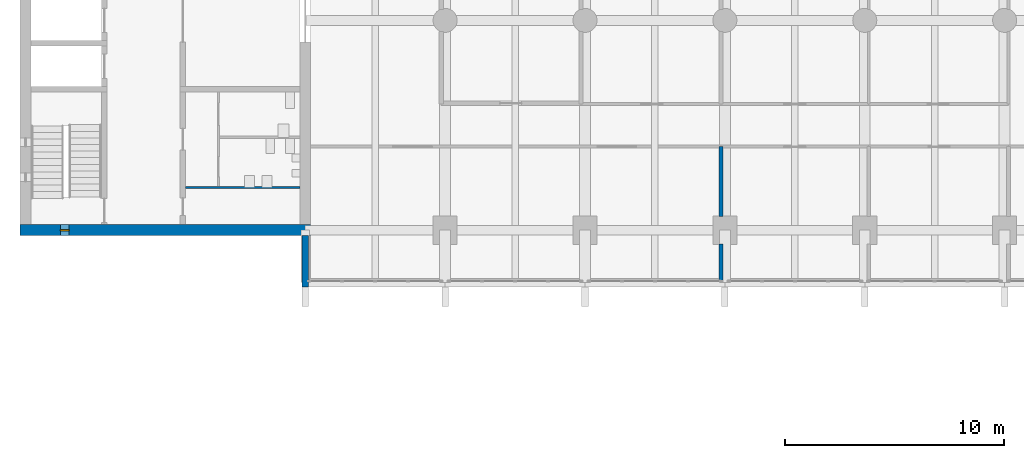
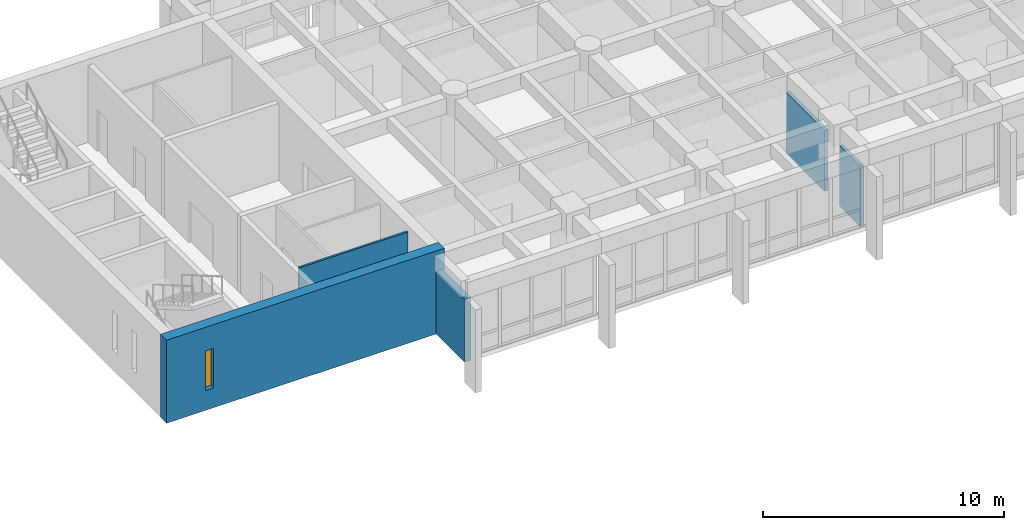
# One storey, part 9 of 18: 5 walls, 1 window, 1 opening.
"""IFC4 building model written with IfcOpenShell, lengths in metres."""

from ifc_helpers import new_model, si_unit, direction, frame, frame_2d, origin, place, context, subcontext, project, spatial, rectangle, extrude, material, layer, layer_set, type_object, element, fill, save


model = new_model("IFC4")

# Units and contexts
model_context = context("Model", 3, precision=1e-05, world=origin(), true_north=direction((0.0, 1.0)))
body_context = subcontext(model_context, "Body", "Model", "MODEL_VIEW")
ifc_project = project(units=[si_unit("LENGTHUNIT", "METRE"), si_unit("AREAUNIT", "SQUARE_METRE"), si_unit("VOLUMEUNIT", "CUBIC_METRE"), si_unit("PLANEANGLEUNIT", "RADIAN"), si_unit("MASSUNIT", "GRAM", prefix="KILO")], contexts=[model_context])

# Site, building, storey
site_placement = place(None, origin())
site = spatial("IfcSite", under=ifc_project, at=site_placement, CompositionType="ELEMENT")
building_placement = place(site_placement, origin())
building = spatial("IfcBuilding", under=site, at=building_placement, Name="Fogon Plaza Fire Station and Headquarters Tower", CompositionType="ELEMENT")
storey_placement = place(building_placement, frame((0.0, 0.0, 12.89990234375)))
storey = spatial("IfcBuildingStorey", under=building, at=storey_placement, Name="L03", CompositionType="ELEMENT", Elevation=12.89990234375)

# Walls
ifc_material_1 = material(Name="Concrete C40", Category="concrete")
ifc_layer_1 = layer(ifc_material_1, 0.300048828125)
ifc_layer_set_1 = layer_set([ifc_layer_1], Name="Concrete C40")
wall_type_1 = type_object("IfcWallType", Name="Fair-faced RC Return Panel 300", PredefinedType="SOLIDWALL", material=ifc_layer_set_1)
wall_1_placement = place(storey_placement, frame((25.60009765625, 31.0, 0.0), z_axis=(0.0, 0.0, 1.0), x_axis=(0.0, 1.0, 0.0)))
element("IfcWall", 1, at=wall_1_placement, inside=storey, type_object=wall_type_1, Name="Bar end return WS L03", PredefinedType="SOLIDWALL", context=body_context, shape_type="SweptSolid", body=[
    extrude(rectangle(XDim=2.35009765625, YDim=0.300048828125, at=frame_2d((1.175048828125, 0.0))), origin(), (0.0, 0.0, 1.0), 3.18017578125),
])
ifc_material_2 = material(Name="Blockwork", Category="masonry")
ifc_layer_2 = layer(ifc_material_2, 0.10009765625)
ifc_layer_set_2 = layer_set([ifc_layer_2], Name="Blockwork")
wall_type_2 = type_object("IfcWallType", Name="Partition Blockwork 100", PredefinedType="PARTITIONING", material=ifc_layer_set_2)
wall_2_placement = place(storey_placement, frame((20.125, 35.550048828125, 0.0), z_axis=(0.0, 0.0, 1.0), x_axis=(1.0, 0.0, 0.0)))
element("IfcWall", 2, at=wall_2_placement, inside=storey, type_object=wall_type_2, Name="Cleaner's store partition", PredefinedType="PARTITIONING", context=body_context, shape_type="SweptSolid", body=[
    extrude(rectangle(XDim=5.22509765625, YDim=0.10009765625, at=frame_2d((2.612548828125, 0.0))), origin(), (0.0, 0.0, 1.0), 3.900146484375),
])

# Wall, opening, window
ifc_material_3 = material(Name="Concrete C40", Category="concrete")
ifc_layer_3 = layer(ifc_material_3, 0.5)
ifc_layer_set_3 = layer_set([ifc_layer_3], Name="Concrete C40")
wall_type_3 = type_object("IfcWallType", Name="Shear wall 500 SW50", PredefinedType="SHEAR", material=ifc_layer_set_3)
wall_3_placement = place(storey_placement, frame((12.550048828125, 33.60009765625, 0.0), z_axis=(0.0, 0.0, 1.0), x_axis=(1.0, 0.0, 0.0)))
wall_3 = element("IfcWall", 3, at=wall_3_placement, inside=storey, type_object=wall_type_3, Name="wall-coreA-S-L03", PredefinedType="SHEAR", context=body_context, shape_type="SweptSolid", body=[
    extrude(rectangle(XDim=13.300048828125, YDim=0.5, at=frame_2d((6.64990234375, 0.0))), origin(), (0.0, 0.0, 1.0), 4.2001953125),
])
opening_placement = place(wall_3_placement, frame((1.85009765625, 0.0, 1.0)))
opening = element("IfcOpeningElement", 4, at=opening_placement, cuts=wall_3, Name="Opening WS1", PredefinedType="OPENING", context=body_context, shape_type="SweptSolid", body=[
    extrude(rectangle(XDim=0.39990234375, YDim=2.0, at=frame_2d((0.199951171875, 1.0))), frame((0.0, 0.260009765625, 0.0), z_axis=(0.0, -1.0, 0.0), x_axis=(1.0, 0.0, 0.0)), (0.0, 0.0, 1.0), 0.52001953125),
])
ifc_material_4 = material(Name="Aluminium framed double glazing", Category="aluminium")
window_type = type_object("IfcWindowType", Name="Slit Window WS1 400x2000", PartitioningType="SINGLE_PANEL", PredefinedType="WINDOW", material=ifc_material_4)
window_placement = place(opening_placement, origin())
window = element("IfcWindow", 5, at=window_placement, inside=storey, type_object=window_type, Name="Slit window A5 L03", OverallHeight=2.0, OverallWidth=0.39990234375, PartitioningType="SINGLE_PANEL", PredefinedType="WINDOW", context=body_context, shape_type="SweptSolid", body=[
    extrude(rectangle(XDim=0.39990234375, YDim=2.0, at=frame_2d((0.199951171875, 1.0))), frame((0.0, 0.030029296875, 0.0), z_axis=(0.0, -1.0, 0.0), x_axis=(1.0, 0.0, 0.0)), (0.0, 0.0, 1.0), 0.06005859375),
])
fill(opening, window)

# Walls
ifc_material_5 = material(Name="Double gypsum board on twin steel stud", Category="steel")
ifc_layer_4 = layer(ifc_material_5, 0.175048828125)
ifc_layer_set_4 = layer_set([ifc_layer_4], Name="Double gypsum board on twin steel stud")
wall_type_4 = type_object("IfcWallType", Name="Tower acoustic partition 175 Beam Head 900", PredefinedType="PARTITIONING", material=ifc_layer_set_4)
wall_4_placement = place(storey_placement, frame((44.6201171875, 31.300048828125, 0.0), z_axis=(0.0, 0.0, 1.0), x_axis=(0.0, 1.0, 0.0)))
element("IfcWall", 6, at=wall_4_placement, inside=storey, type_object=wall_type_4, Name="part-L03-05", PredefinedType="PARTITIONING", context=body_context, shape_type="SweptSolid", body=[
    extrude(rectangle(XDim=1.669921875, YDim=0.175048828125, at=frame_2d((0.8349609375, 0.0))), origin(), (0.0, 0.0, 1.0), 3.080078125),
])
wall_5_placement = place(storey_placement, frame((44.6201171875, 34.22998046875, 0.0), z_axis=(0.0, 0.0, 1.0), x_axis=(0.0, 1.0, 0.0)))
element("IfcWall", 7, at=wall_5_placement, inside=storey, type_object=wall_type_4, Name="part-L03-06", PredefinedType="PARTITIONING", context=body_context, shape_type="SweptSolid", body=[
    extrude(rectangle(XDim=3.195068359375, YDim=0.175048828125, at=frame_2d((1.59765625, 0.0))), origin(), (0.0, 0.0, 1.0), 3.080078125),
])

save(model, "model.ifc")
